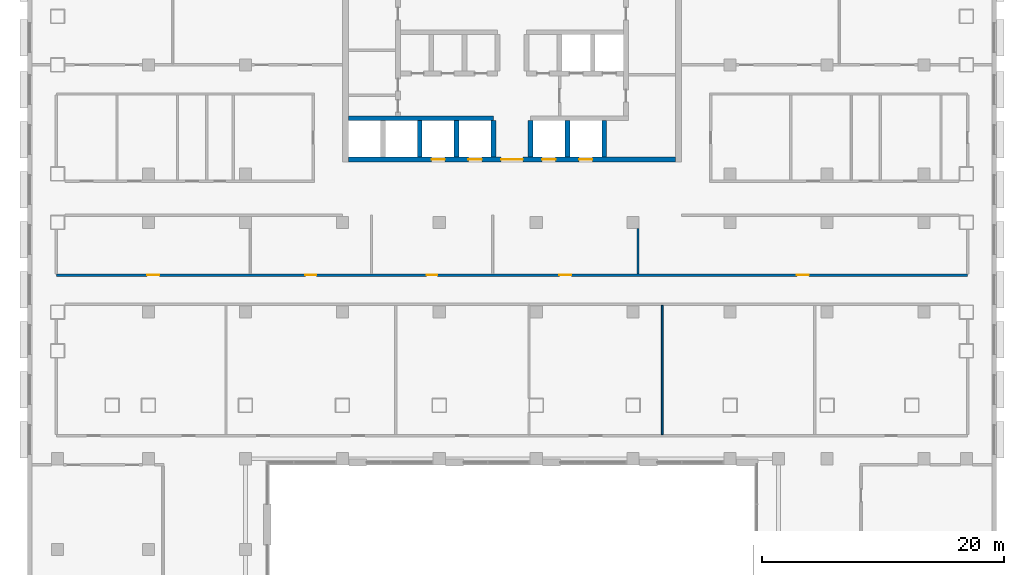
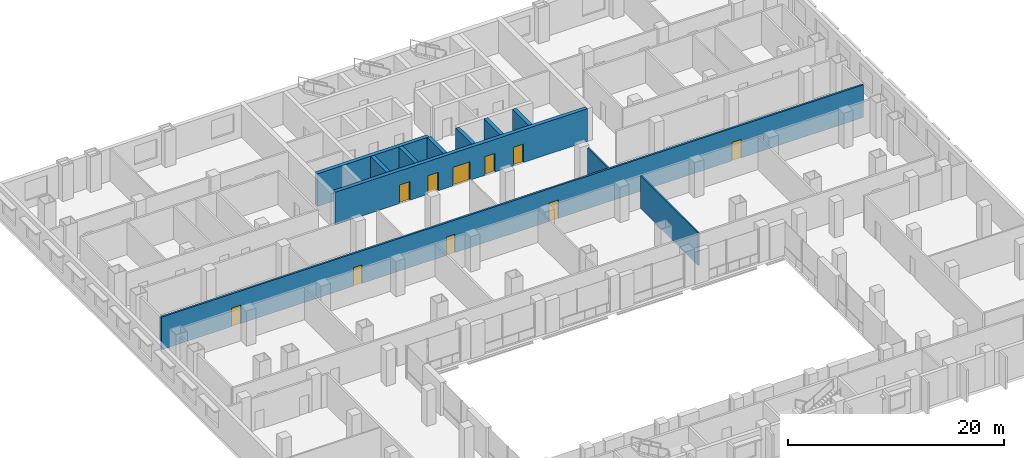
# One storey, part 12 of 25: 11 walls, 10 doors, 10 openings.
"""IFC4 building model written with IfcOpenShell, lengths in metres."""

from ifc_helpers import new_model, si_unit, direction, frame, frame_2d, origin, place, context, subcontext, project, spatial, rectangle, extrude, material, layer, layer_set, type_object, element, fill, save


model = new_model("IFC4")

# Units and contexts
model_context = context("Model", 3, precision=1e-05, world=origin(), true_north=direction((0.0, 1.0)))
body_context = subcontext(model_context, "Body", "Model", "MODEL_VIEW")
ifc_project = project(units=[si_unit("LENGTHUNIT", "METRE"), si_unit("AREAUNIT", "SQUARE_METRE"), si_unit("VOLUMEUNIT", "CUBIC_METRE"), si_unit("PLANEANGLEUNIT", "RADIAN"), si_unit("MASSUNIT", "GRAM", prefix="KILO")], contexts=[model_context])

# Site, building, storey
site_placement = place(None, origin())
site = spatial("IfcSite", under=ifc_project, at=site_placement, CompositionType="ELEMENT")
building_placement = place(site_placement, origin())
building = spatial("IfcBuilding", under=site, at=building_placement, Name="Vidyagriha Tower", CompositionType="ELEMENT")
storey_placement = place(building_placement, frame((0.0, 0.0, 18.0)))
storey = spatial("IfcBuildingStorey", under=building, at=storey_placement, Name="L04", CompositionType="ELEMENT", Elevation=18.0)

# Wall, openings, doors
ifc_material_1 = material(Name="Concrete C60/75", Category="concrete")
ifc_layer_1 = layer(ifc_material_1, 0.39990234375)
ifc_layer_set_1 = layer_set([ifc_layer_1], Name="Concrete C60/75")
wall_type_1 = type_object("IfcWallType", Name="Core shear wall 400 mm", PredefinedType="SHEAR", material=ifc_layer_set_1)
wall_1_placement = place(storey_placement, frame((-13.5, 3.199951171875, 0.0)))
wall_1 = element("IfcWall", 1, at=wall_1_placement, inside=storey, type_object=wall_type_1, Name="Core front wall", PredefinedType="SHEAR", context=body_context, shape_type="SweptSolid", body=[
    extrude(rectangle(XDim=27.0, YDim=0.39990234375, at=frame_2d((13.5, 0.0))), origin(), (0.0, 0.0, 1.0), 3.699951171875),
])
opening_1_placement = place(wall_1_placement, frame((6.861083984375, 0.0, 0.0)))
opening_1 = element("IfcOpeningElement", 2, at=opening_1_placement, cuts=wall_1, Name="Opening LD04-01", PredefinedType="OPENING", context=body_context, shape_type="SweptSolid", body=[
    extrude(rectangle(XDim=1.10009765625, YDim=2.10009765625, at=frame_2d((0.550048828125, 1.050048828125))), frame((0.0, 0.2099609375, 0.0), z_axis=(0.0, -1.0, 0.0), x_axis=(1.0, 0.0, 0.0)), (0.0, 0.0, 1.0), 0.419921875),
])
opening_2_placement = place(wall_1_placement, frame((9.905517578125, 0.0, 0.0)))
opening_2 = element("IfcOpeningElement", 3, at=opening_2_placement, cuts=wall_1, Name="Opening LD04-02", PredefinedType="OPENING", context=body_context, shape_type="SweptSolid", body=[
    extrude(rectangle(XDim=1.10009765625, YDim=2.10009765625, at=frame_2d((0.550048828125, 1.050048828125))), frame((0.0, 0.2099609375, 0.0), z_axis=(0.0, -1.0, 0.0), x_axis=(1.0, 0.0, 0.0)), (0.0, 0.0, 1.0), 0.419921875),
])
opening_3_placement = place(wall_1_placement, frame((15.994384765625, 0.0, 0.0)))
opening_3 = element("IfcOpeningElement", 4, at=opening_3_placement, cuts=wall_1, Name="Opening LD04-03", PredefinedType="OPENING", context=body_context, shape_type="SweptSolid", body=[
    extrude(rectangle(XDim=1.10009765625, YDim=2.10009765625, at=frame_2d((0.550048828125, 1.050048828125))), frame((0.0, 0.2099609375, 0.0), z_axis=(0.0, -1.0, 0.0), x_axis=(1.0, 0.0, 0.0)), (0.0, 0.0, 1.0), 0.419921875),
])
opening_4_placement = place(wall_1_placement, frame((19.038818359375, 0.0, 0.0)))
opening_4 = element("IfcOpeningElement", 5, at=opening_4_placement, cuts=wall_1, Name="Opening LD04-04", PredefinedType="OPENING", context=body_context, shape_type="SweptSolid", body=[
    extrude(rectangle(XDim=1.10009765625, YDim=2.10009765625, at=frame_2d((0.550048828125, 1.050048828125))), frame((0.0, 0.2099609375, 0.0), z_axis=(0.0, -1.0, 0.0), x_axis=(1.0, 0.0, 0.0)), (0.0, 0.0, 1.0), 0.419921875),
])
opening_5_placement = place(wall_1_placement, frame((12.60009765625, 0.0, 0.0)))
opening_5 = element("IfcOpeningElement", 6, at=opening_5_placement, cuts=wall_1, Name="Opening D04-01", PredefinedType="OPENING", context=body_context, shape_type="SweptSolid", body=[
    extrude(rectangle(XDim=1.800048828125, YDim=2.10009765625, at=frame_2d((0.89990234375, 1.050048828125))), frame((0.0, 0.2099609375, 0.0), z_axis=(0.0, -1.0, 0.0), x_axis=(1.0, 0.0, 0.0)), (0.0, 0.0, 1.0), 0.419921875),
])
ifc_material_2 = material(Name="Hollow metal door leaf")
door_type_1 = type_object("IfcDoorType", Name="Core lobby double door 1800 x 2100 mm EI 60", OperationType="NOTDEFINED", PredefinedType="DOOR", material=ifc_material_2)
door_1_placement = place(opening_5_placement, frame((1.800048828125, 0.0, 0.0), z_axis=(0.0, 0.0, 1.0), x_axis=(-1.0, 0.0, 0.0)))
door_1 = element("IfcDoor", 7, at=door_1_placement, inside=storey, type_object=door_type_1, Name="Core entrance door L04", OperationType="DOUBLE_DOOR_SINGLE_SWING", OverallHeight=2.10009765625, OverallWidth=1.800048828125, PredefinedType="DOOR", context=body_context, shape_type="SweptSolid", body=[
    extrude(rectangle(XDim=1.800048828125, YDim=2.10009765625, at=frame_2d((0.89990234375, 1.050048828125))), frame((0.0, 0.02490234375, 0.0), z_axis=(0.0, -1.0, 0.0), x_axis=(1.0, 0.0, 0.0)), (0.0, 0.0, 1.0), 0.050048828125),
])
fill(opening_5, door_1)
ifc_material_3 = material(Name="Stainless steel sliding door panel", Category="steel")
door_type_2 = type_object("IfcDoorType", Name="Lift landing door 1100 x 2100 mm EI 90", OperationType="NOTDEFINED", PredefinedType="DOOR", material=ifc_material_3)
door_2_placement = place(opening_1_placement, origin())
door_2 = element("IfcDoor", 8, at=door_2_placement, inside=storey, type_object=door_type_2, Name="Landing door LR1 L04", OperationType="SLIDING_TO_LEFT", OverallHeight=2.10009765625, OverallWidth=1.10009765625, PredefinedType="DOOR", context=body_context, shape_type="SweptSolid", body=[
    extrude(rectangle(XDim=1.10009765625, YDim=2.10009765625, at=frame_2d((0.550048828125, 1.050048828125))), frame((0.0, 0.02490234375, 0.0), z_axis=(0.0, -1.0, 0.0), x_axis=(1.0, 0.0, 0.0)), (0.0, 0.0, 1.0), 0.050048828125),
])
fill(opening_1, door_2)
door_3_placement = place(opening_2_placement, origin())
door_3 = element("IfcDoor", 9, at=door_3_placement, inside=storey, type_object=door_type_2, Name="Landing door LR2 L04", OperationType="SLIDING_TO_LEFT", OverallHeight=2.10009765625, OverallWidth=1.10009765625, PredefinedType="DOOR", context=body_context, shape_type="SweptSolid", body=[
    extrude(rectangle(XDim=1.10009765625, YDim=2.10009765625, at=frame_2d((0.550048828125, 1.050048828125))), frame((0.0, 0.02490234375, 0.0), z_axis=(0.0, -1.0, 0.0), x_axis=(1.0, 0.0, 0.0)), (0.0, 0.0, 1.0), 0.050048828125),
])
fill(opening_2, door_3)
door_4_placement = place(opening_3_placement, origin())
door_4 = element("IfcDoor", 10, at=door_4_placement, inside=storey, type_object=door_type_2, Name="Landing door LR3 L04", OperationType="SLIDING_TO_LEFT", OverallHeight=2.10009765625, OverallWidth=1.10009765625, PredefinedType="DOOR", context=body_context, shape_type="SweptSolid", body=[
    extrude(rectangle(XDim=1.10009765625, YDim=2.10009765625, at=frame_2d((0.550048828125, 1.050048828125))), frame((0.0, 0.02490234375, 0.0), z_axis=(0.0, -1.0, 0.0), x_axis=(1.0, 0.0, 0.0)), (0.0, 0.0, 1.0), 0.050048828125),
])
fill(opening_3, door_4)
door_5_placement = place(opening_4_placement, origin())
door_5 = element("IfcDoor", 11, at=door_5_placement, inside=storey, type_object=door_type_2, Name="Landing door LR4 L04", OperationType="SLIDING_TO_LEFT", OverallHeight=2.10009765625, OverallWidth=1.10009765625, PredefinedType="DOOR", context=body_context, shape_type="SweptSolid", body=[
    extrude(rectangle(XDim=1.10009765625, YDim=2.10009765625, at=frame_2d((0.550048828125, 1.050048828125))), frame((0.0, 0.02490234375, 0.0), z_axis=(0.0, -1.0, 0.0), x_axis=(1.0, 0.0, 0.0)), (0.0, 0.0, 1.0), 0.050048828125),
])
fill(opening_4, door_5)

# Walls
wall_2_placement = place(storey_placement, frame((-13.5, 6.60009765625, 0.0)))
element("IfcWall", 12, at=wall_2_placement, inside=storey, type_object=wall_type_1, Name="Core lobby south wall west", PredefinedType="SHEAR", context=body_context, shape_type="SweptSolid", body=[
    extrude(rectangle(XDim=11.977783203125, YDim=0.39990234375, at=frame_2d((5.98876953125, 0.0))), origin(), (0.0, 0.0, 1.0), 3.699951171875),
])
for number, where, z_axis, x_axis, name in (
    (13, (-7.611083984375, 3.39990234375, 0.0), (0.0, 0.0, 1.0), (0.0, 1.0, 0.0), "Core bay wall S2"),
    (14, (-4.566650390625, 3.39990234375, 0.0), (0.0, 0.0, 1.0), (0.0, 1.0, 0.0), "Core bay wall S3"),
    (15, (-1.522216796875, 3.39990234375, 0.0), (0.0, 0.0, 1.0), (0.0, 1.0, 0.0), "Core bay wall S4"),
    (16, (1.522216796875, 3.39990234375, 0.0), (0.0, 0.0, 1.0), (0.0, 1.0, 0.0), "Core bay wall S5"),
    (17, (4.566650390625, 3.39990234375, 0.0), (0.0, 0.0, 1.0), (0.0, 1.0, 0.0), "Core bay wall S6"),
    (18, (7.611083984375, 3.39990234375, 0.0), (0.0, 0.0, 1.0), (0.0, 1.0, 0.0), "Core bay wall S7"),
):
    element("IfcWall", number, at=place(storey_placement, frame(where, z_axis=z_axis, x_axis=x_axis)), inside=storey, type_object=wall_type_1, Name=name, PredefinedType="SHEAR", context=body_context, shape_type="SweptSolid", body=[
        extrude(rectangle(XDim=3.0, YDim=0.39990234375, at=frame_2d((1.5, 0.0))), origin(), (0.0, 0.0, 1.0), 3.699951171875),
    ])

# Wall, openings, doors
ifc_material_4 = material(Name="Fire rated gypsum board on light gauge framing")
ifc_layer_2 = layer(ifc_material_4, 0.199951171875)
ifc_layer_set_2 = layer_set([ifc_layer_2], Name="Fire rated gypsum board on light gauge framing")
wall_type_2 = type_object("IfcWallType", Name="Fire Rated Corridor Wall 200", PredefinedType="PARTITIONING", material=ifc_layer_set_2)
wall_3_placement = place(storey_placement, frame((-37.599853515625, -6.35009765625, 0.0)))
wall_3 = element("IfcWall", 19, at=wall_3_placement, inside=storey, type_object=wall_type_2, Name="L04 Fire Rated Corridor Wall 200 023", PredefinedType="PARTITIONING", context=body_context, shape_type="SweptSolid", body=[
    extrude(rectangle(XDim=75.19970703125, YDim=0.199951171875, at=frame_2d((37.599853515625, 0.0))), origin(), (0.0, 0.0, 1.0), 3.699951171875),
])
opening_6_placement = place(wall_3_placement, frame((7.5, 0.0, 0.0)))
opening_6 = element("IfcOpeningElement", 20, at=opening_6_placement, cuts=wall_3, Name="Opening D04-36", PredefinedType="OPENING", context=body_context, shape_type="SweptSolid", body=[
    extrude(rectangle(XDim=1.0, YDim=2.10009765625, at=frame_2d((0.5, 1.050048828125))), frame((0.0, 0.10986328125, 0.0), z_axis=(0.0, -1.0, 0.0), x_axis=(1.0, 0.0, 0.0)), (0.0, 0.0, 1.0), 0.219970703125),
])
opening_7_placement = place(wall_3_placement, frame((20.5498046875, 0.0, 0.0)))
opening_7 = element("IfcOpeningElement", 21, at=opening_7_placement, cuts=wall_3, Name="Opening D04-37", PredefinedType="OPENING", context=body_context, shape_type="SweptSolid", body=[
    extrude(rectangle(XDim=0.89990234375, YDim=2.10009765625, at=frame_2d((0.449951171875, 1.050048828125))), frame((0.0, 0.10986328125, 0.0), z_axis=(0.0, -1.0, 0.0), x_axis=(1.0, 0.0, 0.0)), (0.0, 0.0, 1.0), 0.219970703125),
])
opening_8_placement = place(wall_3_placement, frame((30.5498046875, 0.0, 0.0)))
opening_8 = element("IfcOpeningElement", 22, at=opening_8_placement, cuts=wall_3, Name="Opening D04-38", PredefinedType="OPENING", context=body_context, shape_type="SweptSolid", body=[
    extrude(rectangle(XDim=0.89990234375, YDim=2.10009765625, at=frame_2d((0.449951171875, 1.050048828125))), frame((0.0, 0.10986328125, 0.0), z_axis=(0.0, -1.0, 0.0), x_axis=(1.0, 0.0, 0.0)), (0.0, 0.0, 1.0), 0.219970703125),
])
opening_9_placement = place(wall_3_placement, frame((41.5, 0.0, 0.0)))
opening_9 = element("IfcOpeningElement", 23, at=opening_9_placement, cuts=wall_3, Name="Opening D04-39", PredefinedType="OPENING", context=body_context, shape_type="SweptSolid", body=[
    extrude(rectangle(XDim=1.0, YDim=2.10009765625, at=frame_2d((0.5, 1.050048828125))), frame((0.0, 0.10986328125, 0.0), z_axis=(0.0, -1.0, 0.0), x_axis=(1.0, 0.0, 0.0)), (0.0, 0.0, 1.0), 0.219970703125),
])
opening_10_placement = place(wall_3_placement, frame((61.099853515625, 0.0, 0.0)))
opening_10 = element("IfcOpeningElement", 24, at=opening_10_placement, cuts=wall_3, Name="Opening D04-40", PredefinedType="OPENING", context=body_context, shape_type="SweptSolid", body=[
    extrude(rectangle(XDim=1.0, YDim=2.10009765625, at=frame_2d((0.5, 1.050048828125))), frame((0.0, 0.10986328125, 0.0), z_axis=(0.0, -1.0, 0.0), x_axis=(1.0, 0.0, 0.0)), (0.0, 0.0, 1.0), 0.219970703125),
])
ifc_material_5 = material(Name="Steel fire door set", Category="steel")
door_type_3 = type_object("IfcDoorType", Name="Podium Door 1000x2100 EI 30", OperationType="NOTDEFINED", PredefinedType="DOOR", material=ifc_material_5)
door_6_placement = place(opening_6_placement, origin())
door_6 = element("IfcDoor", 25, at=door_6_placement, inside=storey, type_object=door_type_3, Name="L04 door D04-36", OperationType="SINGLE_SWING_LEFT", OverallHeight=2.10009765625, OverallWidth=1.0, PredefinedType="DOOR", context=body_context, shape_type="SweptSolid", body=[
    extrude(rectangle(XDim=1.0, YDim=2.10009765625, at=frame_2d((0.5, 1.050048828125))), frame((0.0, 0.02490234375, 0.0), z_axis=(0.0, -1.0, 0.0), x_axis=(1.0, 0.0, 0.0)), (0.0, 0.0, 1.0), 0.050048828125),
])
fill(opening_6, door_6)
door_7_placement = place(opening_9_placement, origin())
door_7 = element("IfcDoor", 26, at=door_7_placement, inside=storey, type_object=door_type_3, Name="L04 door D04-39", OperationType="SINGLE_SWING_RIGHT", OverallHeight=2.10009765625, OverallWidth=1.0, PredefinedType="DOOR", context=body_context, shape_type="SweptSolid", body=[
    extrude(rectangle(XDim=1.0, YDim=2.10009765625, at=frame_2d((0.5, 1.050048828125))), frame((0.0, 0.02490234375, 0.0), z_axis=(0.0, -1.0, 0.0), x_axis=(1.0, 0.0, 0.0)), (0.0, 0.0, 1.0), 0.050048828125),
])
fill(opening_9, door_7)
door_8_placement = place(opening_10_placement, origin())
door_8 = element("IfcDoor", 27, at=door_8_placement, inside=storey, type_object=door_type_3, Name="L04 door D04-40", OperationType="SINGLE_SWING_RIGHT", OverallHeight=2.10009765625, OverallWidth=1.0, PredefinedType="DOOR", context=body_context, shape_type="SweptSolid", body=[
    extrude(rectangle(XDim=1.0, YDim=2.10009765625, at=frame_2d((0.5, 1.050048828125))), frame((0.0, 0.02490234375, 0.0), z_axis=(0.0, -1.0, 0.0), x_axis=(1.0, 0.0, 0.0)), (0.0, 0.0, 1.0), 0.050048828125),
])
fill(opening_10, door_8)
ifc_material_6 = material(Name="Steel fire door set", Category="steel")
door_type_4 = type_object("IfcDoorType", Name="Podium Door 900x2100 EI 30", OperationType="NOTDEFINED", PredefinedType="DOOR", material=ifc_material_6)
door_9_placement = place(opening_7_placement, origin())
door_9 = element("IfcDoor", 28, at=door_9_placement, inside=storey, type_object=door_type_4, Name="L04 door D04-37", OperationType="SINGLE_SWING_LEFT", OverallHeight=2.10009765625, OverallWidth=0.89990234375, PredefinedType="DOOR", context=body_context, shape_type="SweptSolid", body=[
    extrude(rectangle(XDim=0.89990234375, YDim=2.10009765625, at=frame_2d((0.449951171875, 1.050048828125))), frame((0.0, 0.02490234375, 0.0), z_axis=(0.0, -1.0, 0.0), x_axis=(1.0, 0.0, 0.0)), (0.0, 0.0, 1.0), 0.050048828125),
])
fill(opening_7, door_9)
door_10_placement = place(opening_8_placement, origin())
door_10 = element("IfcDoor", 29, at=door_10_placement, inside=storey, type_object=door_type_4, Name="L04 door D04-38", OperationType="SINGLE_SWING_LEFT", OverallHeight=2.10009765625, OverallWidth=0.89990234375, PredefinedType="DOOR", context=body_context, shape_type="SweptSolid", body=[
    extrude(rectangle(XDim=0.89990234375, YDim=2.10009765625, at=frame_2d((0.449951171875, 1.050048828125))), frame((0.0, 0.02490234375, 0.0), z_axis=(0.0, -1.0, 0.0), x_axis=(1.0, 0.0, 0.0)), (0.0, 0.0, 1.0), 0.050048828125),
])
fill(opening_8, door_10)

# Walls
ifc_material_7 = material(Name="Gypsum board on light gauge framing")
ifc_layer_3 = layer(ifc_material_7, 0.14990234375)
ifc_layer_set_3 = layer_set([ifc_layer_3], Name="Gypsum board on light gauge framing")
wall_type_3 = type_object("IfcWallType", Name="Gypsum Board Partition 150", PredefinedType="PARTITIONING", material=ifc_layer_set_3)
wall_4_placement = place(storey_placement, frame((10.39990234375, -6.25, 0.0), z_axis=(0.0, 0.0, 1.0), x_axis=(0.0, 1.0, 0.0)))
element("IfcWall", 30, at=wall_4_placement, inside=storey, type_object=wall_type_3, Name="L04 Gypsum Board Partition 150 062", PredefinedType="PARTITIONING", context=body_context, shape_type="SweptSolid", body=[
    extrude(rectangle(XDim=3.75, YDim=0.14990234375, at=frame_2d((1.875, 0.0))), origin(), (0.0, 0.0, 1.0), 3.699951171875),
])
wall_5_placement = place(storey_placement, frame((12.39990234375, -19.5, 0.0), z_axis=(0.0, 0.0, 1.0), x_axis=(0.0, 1.0, 0.0)))
element("IfcWall", 31, at=wall_5_placement, inside=storey, type_object=wall_type_3, Name="L04 Gypsum Board Partition 150 064", PredefinedType="PARTITIONING", context=body_context, shape_type="SweptSolid", body=[
    extrude(rectangle(XDim=10.64990234375, YDim=0.14990234375, at=frame_2d((5.324951171875, 0.0))), origin(), (0.0, 0.0, 1.0), 3.699951171875),
])

save(model, "model.ifc")
